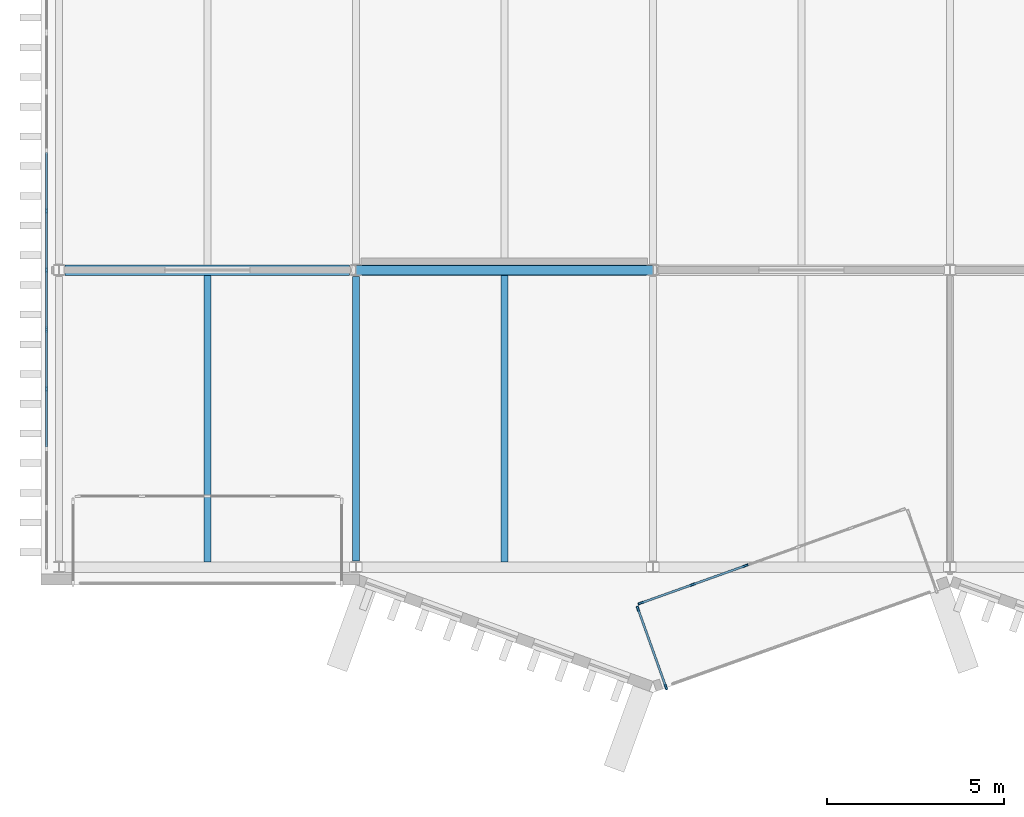
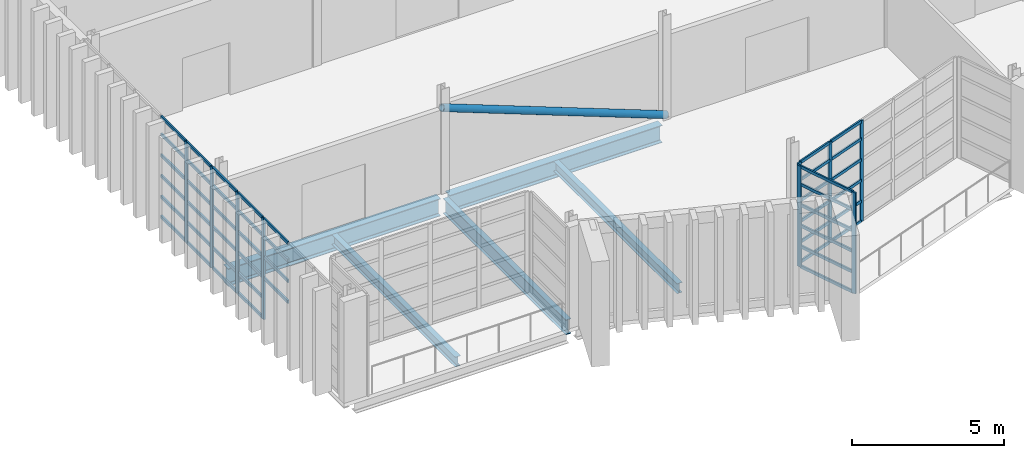
# One storey, part 12 of 100: 56 members, 5 beams, 3 elements without a shape of their own.
"""IFC4 building model written with IfcOpenShell, lengths in metres."""

from ifc_helpers import new_model, si_unit, direction, frame, origin, origin_2d, place, context, subcontext, project, spatial, rectangle, hollow_circle, i_section, extrude, material, layer, layer_set, material_profile, profile_set, type_object, element, aggregate, save


model = new_model("IFC4")

# Units and contexts
model_context = context("Model", 3, precision=1e-05, world=origin(), true_north=direction((0.0, 1.0)))
body_context = subcontext(model_context, "Body", "Model", "MODEL_VIEW")
ifc_project = project(units=[si_unit("LENGTHUNIT", "METRE"), si_unit("AREAUNIT", "SQUARE_METRE"), si_unit("VOLUMEUNIT", "CUBIC_METRE"), si_unit("PLANEANGLEUNIT", "RADIAN"), si_unit("MASSUNIT", "GRAM", prefix="KILO")], contexts=[model_context])

# Site, building, storey
site_placement = place(None, origin())
site = spatial("IfcSite", under=ifc_project, at=site_placement, CompositionType="ELEMENT")
building_placement = place(site_placement, origin())
building = spatial("IfcBuilding", under=site, at=building_placement, Name="Cresset Court Congress Hotel", CompositionType="ELEMENT")
storey_placement = place(building_placement, frame((0.0, 0.0, 10.199951171875)))
storey = spatial("IfcBuildingStorey", under=building, at=storey_placement, Name="L02", CompositionType="ELEMENT", Elevation=10.199951171875)

# Curtain wall, members
ifc_material_1 = material(Name="Aluminium frame with double glazing", Category="aluminium")
ifc_layer = layer(ifc_material_1, 0.199951171875)
ifc_layer_set = layer_set([ifc_layer], Name="Glazed box curtain wall 1680 module")
curtain_wall_type = type_object("IfcCurtainWallType", Name="Glazed box curtain wall 1680 module", PredefinedType="NOTDEFINED", material=ifc_layer_set)
curtain_wall_1_placement = place(storey_placement, origin())
curtain_wall_1 = element("IfcCurtainWall", 1, at=curtain_wall_1_placement, inside=storey, type_object=curtain_wall_type, Name="Glazed box S0204 front", PredefinedType="NOTDEFINED")
ifc_material_2 = material(Name="Aluminium", Category="aluminium")
ifc_material_profile_1 = material_profile(ifc_material_2, rectangle(XDim=0.06005859375, YDim=0.159912109375, at=origin_2d()), Name="Box mullion 60x160")
ifc_profile_set_1 = profile_set([ifc_material_profile_1], Name="Aluminium")
member_type_1 = type_object("IfcMemberType", Name="Box mullion 60x160", PredefinedType="MULLION", material=ifc_profile_set_1)
member_1_placement = place(storey_placement, frame((24.8583984375, -1.017333984375, 0.0), z_axis=(0.0, 0.0, 1.0), x_axis=(-0.336336396981, 0.941741911601, 0.0)))
member_1 = element("IfcMember", 2, at=member_1_placement, type_object=member_type_1, Name="B-X1 mullion 1", PredefinedType="MULLION", context=body_context, shape_type="SweptSolid", body=[
    extrude(rectangle(XDim=0.06005859375, YDim=0.159912109375, at=origin_2d()), origin(), (0.0, 0.0, 1.0), 4.050048828125),
])
member_2_placement = place(storey_placement, frame((26.32177734375, -0.49462890625, 0.0), z_axis=(0.0, 0.0, 1.0), x_axis=(-0.336336396981, 0.941741911601, 0.0)))
member_2 = element("IfcMember", 3, at=member_2_placement, type_object=member_type_1, Name="B-X1 mullion 2", PredefinedType="MULLION", context=body_context, shape_type="SweptSolid", body=[
    extrude(rectangle(XDim=0.06005859375, YDim=0.159912109375, at=origin_2d()), origin(), (0.0, 0.0, 1.0), 4.050048828125),
])
member_3_placement = place(storey_placement, frame((27.813232421875, 0.0380859375, 0.0), z_axis=(0.0, 0.0, 1.0), x_axis=(-0.336336396981, 0.941741911601, 0.0)))
member_3 = element("IfcMember", 4, at=member_3_placement, type_object=member_type_1, Name="B-X1 mullion 3", PredefinedType="MULLION", context=body_context, shape_type="SweptSolid", body=[
    extrude(rectangle(XDim=0.06005859375, YDim=0.159912109375, at=origin_2d()), origin(), (0.0, 0.0, 1.0), 4.050048828125),
])

curtain_wall_2_placement = place(storey_placement, origin())
curtain_wall_2 = element("IfcCurtainWall", 5, at=curtain_wall_2_placement, inside=storey, type_object=curtain_wall_type, Name="Glazed box S0204 side", PredefinedType="NOTDEFINED")
member_4_placement = place(storey_placement, frame((25.566650390625, -3.38720703125, 0.0), z_axis=(0.0, 0.0, 1.0), x_axis=(-0.941741911578, -0.336336397047, 0.0)))
member_4 = element("IfcMember", 6, at=member_4_placement, type_object=member_type_1, Name="B-X1 mullion 1", PredefinedType="MULLION", context=body_context, shape_type="SweptSolid", body=[
    extrude(rectangle(XDim=0.06005859375, YDim=0.159912109375, at=origin_2d()), origin(), (0.0, 0.0, 1.0), 4.050048828125),
])
member_5_placement = place(storey_placement, frame((24.779541015625, -1.18359375, 0.0), z_axis=(0.0, 0.0, 1.0), x_axis=(-0.941741911578, -0.336336397047, 0.0)))
member_5 = element("IfcMember", 7, at=member_5_placement, type_object=member_type_1, Name="B-X1 mullion 2", PredefinedType="MULLION", context=body_context, shape_type="SweptSolid", body=[
    extrude(rectangle(XDim=0.06005859375, YDim=0.159912109375, at=origin_2d()), origin(), (0.0, 0.0, 1.0), 4.050048828125),
])

curtain_wall_3_placement = place(storey_placement, origin())
curtain_wall_3 = element("IfcCurtainWall", 8, at=curtain_wall_3_placement, inside=storey, type_object=curtain_wall_type, Name="Foyer glazed front L02", PredefinedType="NOTDEFINED")
member_6_placement = place(storey_placement, frame((8.050048828125, 5.0400390625, 0.0), z_axis=(0.0, 0.0, 1.0), x_axis=(-1.0, 0.0, 0.0)))
member_6 = element("IfcMember", 9, at=member_6_placement, type_object=member_type_1, Name="B-X1 mullion 4", PredefinedType="MULLION", context=body_context, shape_type="SweptSolid", body=[
    extrude(rectangle(XDim=0.06005859375, YDim=0.159912109375, at=origin_2d()), origin(), (0.0, 0.0, 1.0), 4.050048828125),
])
member_7_placement = place(storey_placement, frame((8.050048828125, 6.719970703125, 0.0), z_axis=(0.0, 0.0, 1.0), x_axis=(-1.0, 0.0, 0.0)))
member_7 = element("IfcMember", 10, at=member_7_placement, type_object=member_type_1, Name="B-X1 mullion 5", PredefinedType="MULLION", context=body_context, shape_type="SweptSolid", body=[
    extrude(rectangle(XDim=0.06005859375, YDim=0.159912109375, at=origin_2d()), origin(), (0.0, 0.0, 1.0), 4.050048828125),
])
member_8_placement = place(storey_placement, frame((8.050048828125, 8.39990234375, 0.0), z_axis=(0.0, 0.0, 1.0), x_axis=(-1.0, 0.0, 0.0)))
member_8 = element("IfcMember", 11, at=member_8_placement, type_object=member_type_1, Name="B-X1 mullion 6", PredefinedType="MULLION", context=body_context, shape_type="SweptSolid", body=[
    extrude(rectangle(XDim=0.06005859375, YDim=0.159912109375, at=origin_2d()), origin(), (0.0, 0.0, 1.0), 4.050048828125),
])
member_9_placement = place(storey_placement, frame((8.050048828125, 10.080078125, 0.0), z_axis=(0.0, 0.0, 1.0), x_axis=(-1.0, 0.0, 0.0)))
member_9 = element("IfcMember", 12, at=member_9_placement, type_object=member_type_1, Name="B-X1 mullion 7", PredefinedType="MULLION", context=body_context, shape_type="SweptSolid", body=[
    extrude(rectangle(XDim=0.06005859375, YDim=0.159912109375, at=origin_2d()), origin(), (0.0, 0.0, 1.0), 4.050048828125),
])

# Member
ifc_material_3 = material(Name="Aluminium", Category="aluminium")
ifc_material_profile_2 = material_profile(ifc_material_3, rectangle(XDim=0.06005859375, YDim=0.1201171875, at=origin_2d()), Name="Box transom 60x120")
ifc_profile_set_2 = profile_set([ifc_material_profile_2], Name="Aluminium")
member_type_2 = type_object("IfcMemberType", Name="Box transom 60x120", PredefinedType="USERDEFINED", material=ifc_profile_set_2)
member_10_placement = place(storey_placement, frame((24.886474609375, -1.00732421875, 0.030029296875), z_axis=(0.941753002509, 0.336305340823, 0.0), x_axis=(-0.336305340823, 0.941753002509, 0.0)))
member_10 = element("IfcMember", 13, at=member_10_placement, type_object=member_type_2, Name="B-X1 transom 1.1", ObjectType="TRANSOM", PredefinedType="USERDEFINED", context=body_context, shape_type="SweptSolid", body=[
    extrude(rectangle(XDim=0.06005859375, YDim=0.1201171875, at=origin_2d()), origin(), (0.0, 0.0, 1.0), 1.493896484375),
])

member_11_placement = place(storey_placement, frame((24.886474609375, -1.00732421875, 0.830078125), z_axis=(0.941753002509, 0.336305340823, 0.0), x_axis=(-0.336305340823, 0.941753002509, 0.0)))
member_11 = element("IfcMember", 14, at=member_11_placement, type_object=member_type_2, Name="B-X1 transom 1.2", ObjectType="TRANSOM", PredefinedType="USERDEFINED", context=body_context, shape_type="SweptSolid", body=[
    extrude(rectangle(XDim=0.06005859375, YDim=0.1201171875, at=origin_2d()), origin(), (0.0, 0.0, 1.0), 1.493896484375),
])

member_12_placement = place(storey_placement, frame((24.886474609375, -1.00732421875, 1.66015625), z_axis=(0.941753002509, 0.336305340823, 0.0), x_axis=(-0.336305340823, 0.941753002509, 0.0)))
member_12 = element("IfcMember", 15, at=member_12_placement, type_object=member_type_2, Name="B-X1 transom 1.3", ObjectType="TRANSOM", PredefinedType="USERDEFINED", context=body_context, shape_type="SweptSolid", body=[
    extrude(rectangle(XDim=0.06005859375, YDim=0.1201171875, at=origin_2d()), origin(), (0.0, 0.0, 1.0), 1.493896484375),
])

member_13_placement = place(storey_placement, frame((24.886474609375, -1.00732421875, 2.489990234375), z_axis=(0.941753002509, 0.336305340823, 0.0), x_axis=(-0.336305340823, 0.941753002509, 0.0)))
member_13 = element("IfcMember", 16, at=member_13_placement, type_object=member_type_2, Name="B-X1 transom 1.4", ObjectType="TRANSOM", PredefinedType="USERDEFINED", context=body_context, shape_type="SweptSolid", body=[
    extrude(rectangle(XDim=0.06005859375, YDim=0.1201171875, at=origin_2d()), origin(), (0.0, 0.0, 1.0), 1.493896484375),
])

member_14_placement = place(storey_placement, frame((24.886474609375, -1.00732421875, 3.320068359375), z_axis=(0.941753002509, 0.336305340823, 0.0), x_axis=(-0.336305340823, 0.941753002509, 0.0)))
member_14 = element("IfcMember", 17, at=member_14_placement, type_object=member_type_2, Name="B-X1 transom 1.5", ObjectType="TRANSOM", PredefinedType="USERDEFINED", context=body_context, shape_type="SweptSolid", body=[
    extrude(rectangle(XDim=0.06005859375, YDim=0.1201171875, at=origin_2d()), origin(), (0.0, 0.0, 1.0), 1.493896484375),
])

member_15_placement = place(storey_placement, frame((24.886474609375, -1.00732421875, 4.02001953125), z_axis=(0.941753002509, 0.336305340823, 0.0), x_axis=(-0.336305340823, 0.941753002509, 0.0)))
member_15 = element("IfcMember", 18, at=member_15_placement, type_object=member_type_2, Name="B-X1 transom 1.6", ObjectType="TRANSOM", PredefinedType="USERDEFINED", context=body_context, shape_type="SweptSolid", body=[
    extrude(rectangle(XDim=0.06005859375, YDim=0.1201171875, at=origin_2d()), origin(), (0.0, 0.0, 1.0), 1.493896484375),
])

member_16_placement = place(storey_placement, frame((26.349853515625, -0.484619140625, 0.030029296875), z_axis=(0.941774525646, 0.336245063673, 0.0), x_axis=(-0.336245063673, 0.941774525646, 0.0)))
member_16 = element("IfcMember", 19, at=member_16_placement, type_object=member_type_2, Name="B-X1 transom 2.1", ObjectType="TRANSOM", PredefinedType="USERDEFINED", context=body_context, shape_type="SweptSolid", body=[
    extrude(rectangle(XDim=0.06005859375, YDim=0.1201171875, at=origin_2d()), origin(), (0.0, 0.0, 1.0), 1.52392578125),
])

member_17_placement = place(storey_placement, frame((26.349853515625, -0.484619140625, 0.830078125), z_axis=(0.941774525646, 0.336245063673, 0.0), x_axis=(-0.336245063673, 0.941774525646, 0.0)))
member_17 = element("IfcMember", 20, at=member_17_placement, type_object=member_type_2, Name="B-X1 transom 2.2", ObjectType="TRANSOM", PredefinedType="USERDEFINED", context=body_context, shape_type="SweptSolid", body=[
    extrude(rectangle(XDim=0.06005859375, YDim=0.1201171875, at=origin_2d()), origin(), (0.0, 0.0, 1.0), 1.52392578125),
])

member_18_placement = place(storey_placement, frame((26.349853515625, -0.484619140625, 1.66015625), z_axis=(0.941774525646, 0.336245063673, 0.0), x_axis=(-0.336245063673, 0.941774525646, 0.0)))
member_18 = element("IfcMember", 21, at=member_18_placement, type_object=member_type_2, Name="B-X1 transom 2.3", ObjectType="TRANSOM", PredefinedType="USERDEFINED", context=body_context, shape_type="SweptSolid", body=[
    extrude(rectangle(XDim=0.06005859375, YDim=0.1201171875, at=origin_2d()), origin(), (0.0, 0.0, 1.0), 1.52392578125),
])

member_19_placement = place(storey_placement, frame((26.349853515625, -0.484619140625, 2.489990234375), z_axis=(0.941774525646, 0.336245063673, 0.0), x_axis=(-0.336245063673, 0.941774525646, 0.0)))
member_19 = element("IfcMember", 22, at=member_19_placement, type_object=member_type_2, Name="B-X1 transom 2.4", ObjectType="TRANSOM", PredefinedType="USERDEFINED", context=body_context, shape_type="SweptSolid", body=[
    extrude(rectangle(XDim=0.06005859375, YDim=0.1201171875, at=origin_2d()), origin(), (0.0, 0.0, 1.0), 1.52392578125),
])

member_20_placement = place(storey_placement, frame((26.349853515625, -0.484619140625, 3.320068359375), z_axis=(0.941774525646, 0.336245063673, 0.0), x_axis=(-0.336245063673, 0.941774525646, 0.0)))
member_20 = element("IfcMember", 23, at=member_20_placement, type_object=member_type_2, Name="B-X1 transom 2.5", ObjectType="TRANSOM", PredefinedType="USERDEFINED", context=body_context, shape_type="SweptSolid", body=[
    extrude(rectangle(XDim=0.06005859375, YDim=0.1201171875, at=origin_2d()), origin(), (0.0, 0.0, 1.0), 1.52392578125),
])

member_21_placement = place(storey_placement, frame((26.349853515625, -0.484619140625, 4.02001953125), z_axis=(0.941774525646, 0.336245063673, 0.0), x_axis=(-0.336245063673, 0.941774525646, 0.0)))
member_21 = element("IfcMember", 24, at=member_21_placement, type_object=member_type_2, Name="B-X1 transom 2.6", ObjectType="TRANSOM", PredefinedType="USERDEFINED", context=body_context, shape_type="SweptSolid", body=[
    extrude(rectangle(XDim=0.06005859375, YDim=0.1201171875, at=origin_2d()), origin(), (0.0, 0.0, 1.0), 1.52392578125),
])

aggregate(curtain_wall_1, [member_1, member_2, member_3, member_10, member_11, member_12, member_13, member_14, member_15, member_16, member_17, member_18, member_19, member_20, member_21])

member_22_placement = place(storey_placement, frame((25.556396484375, -3.35888671875, 0.030029296875), z_axis=(-0.336329613816, 0.941744334132, 0.0), x_axis=(-0.941744334132, -0.336329613816, 0.0)))
member_22 = element("IfcMember", 25, at=member_22_placement, type_object=member_type_2, Name="B-X1 transom 1.1", ObjectType="TRANSOM", PredefinedType="USERDEFINED", context=body_context, shape_type="SweptSolid", body=[
    extrude(rectangle(XDim=0.06005859375, YDim=0.1201171875, at=origin_2d()), origin(), (0.0, 0.0, 1.0), 2.280029296875),
])

member_23_placement = place(storey_placement, frame((25.556396484375, -3.35888671875, 0.830078125), z_axis=(-0.336329613816, 0.941744334132, 0.0), x_axis=(-0.941744334132, -0.336329613816, 0.0)))
member_23 = element("IfcMember", 26, at=member_23_placement, type_object=member_type_2, Name="B-X1 transom 1.2", ObjectType="TRANSOM", PredefinedType="USERDEFINED", context=body_context, shape_type="SweptSolid", body=[
    extrude(rectangle(XDim=0.06005859375, YDim=0.1201171875, at=origin_2d()), origin(), (0.0, 0.0, 1.0), 2.280029296875),
])

member_24_placement = place(storey_placement, frame((25.556396484375, -3.35888671875, 1.66015625), z_axis=(-0.336329613816, 0.941744334132, 0.0), x_axis=(-0.941744334132, -0.336329613816, 0.0)))
member_24 = element("IfcMember", 27, at=member_24_placement, type_object=member_type_2, Name="B-X1 transom 1.3", ObjectType="TRANSOM", PredefinedType="USERDEFINED", context=body_context, shape_type="SweptSolid", body=[
    extrude(rectangle(XDim=0.06005859375, YDim=0.1201171875, at=origin_2d()), origin(), (0.0, 0.0, 1.0), 2.280029296875),
])

member_25_placement = place(storey_placement, frame((25.556396484375, -3.35888671875, 2.489990234375), z_axis=(-0.336329613816, 0.941744334132, 0.0), x_axis=(-0.941744334132, -0.336329613816, 0.0)))
member_25 = element("IfcMember", 28, at=member_25_placement, type_object=member_type_2, Name="B-X1 transom 1.4", ObjectType="TRANSOM", PredefinedType="USERDEFINED", context=body_context, shape_type="SweptSolid", body=[
    extrude(rectangle(XDim=0.06005859375, YDim=0.1201171875, at=origin_2d()), origin(), (0.0, 0.0, 1.0), 2.280029296875),
])

member_26_placement = place(storey_placement, frame((25.556396484375, -3.35888671875, 3.320068359375), z_axis=(-0.336329613816, 0.941744334132, 0.0), x_axis=(-0.941744334132, -0.336329613816, 0.0)))
member_26 = element("IfcMember", 29, at=member_26_placement, type_object=member_type_2, Name="B-X1 transom 1.5", ObjectType="TRANSOM", PredefinedType="USERDEFINED", context=body_context, shape_type="SweptSolid", body=[
    extrude(rectangle(XDim=0.06005859375, YDim=0.1201171875, at=origin_2d()), origin(), (0.0, 0.0, 1.0), 2.280029296875),
])

member_27_placement = place(storey_placement, frame((25.556396484375, -3.35888671875, 4.02001953125), z_axis=(-0.336329613816, 0.941744334132, 0.0), x_axis=(-0.941744334132, -0.336329613816, 0.0)))
member_27 = element("IfcMember", 30, at=member_27_placement, type_object=member_type_2, Name="B-X1 transom 1.6", ObjectType="TRANSOM", PredefinedType="USERDEFINED", context=body_context, shape_type="SweptSolid", body=[
    extrude(rectangle(XDim=0.06005859375, YDim=0.1201171875, at=origin_2d()), origin(), (0.0, 0.0, 1.0), 2.280029296875),
])

aggregate(curtain_wall_2, [member_4, member_5, member_22, member_23, member_24, member_25, member_26, member_27])

member_28_placement = place(storey_placement, frame((8.050048828125, 3.389892578125, 1.66015625), z_axis=(0.0, 1.0, 0.0), x_axis=(-1.0, 0.0, 0.0)))
member_28 = element("IfcMember", 31, at=member_28_placement, type_object=member_type_2, Name="B-X1 transom 3.3", ObjectType="TRANSOM", PredefinedType="USERDEFINED", context=body_context, shape_type="SweptSolid", body=[
    extrude(rectangle(XDim=0.06005859375, YDim=0.1201171875, at=origin_2d()), origin(), (0.0, 0.0, 1.0), 1.6201171875),
])

member_29_placement = place(storey_placement, frame((8.050048828125, 3.389892578125, 2.489990234375), z_axis=(0.0, 1.0, 0.0), x_axis=(-1.0, 0.0, 0.0)))
member_29 = element("IfcMember", 32, at=member_29_placement, type_object=member_type_2, Name="B-X1 transom 3.4", ObjectType="TRANSOM", PredefinedType="USERDEFINED", context=body_context, shape_type="SweptSolid", body=[
    extrude(rectangle(XDim=0.06005859375, YDim=0.1201171875, at=origin_2d()), origin(), (0.0, 0.0, 1.0), 1.6201171875),
])

member_30_placement = place(storey_placement, frame((8.050048828125, 3.389892578125, 3.320068359375), z_axis=(0.0, 1.0, 0.0), x_axis=(-1.0, 0.0, 0.0)))
member_30 = element("IfcMember", 33, at=member_30_placement, type_object=member_type_2, Name="B-X1 transom 3.5", ObjectType="TRANSOM", PredefinedType="USERDEFINED", context=body_context, shape_type="SweptSolid", body=[
    extrude(rectangle(XDim=0.06005859375, YDim=0.1201171875, at=origin_2d()), origin(), (0.0, 0.0, 1.0), 1.6201171875),
])

member_31_placement = place(storey_placement, frame((8.050048828125, 3.389892578125, 4.02001953125), z_axis=(0.0, 1.0, 0.0), x_axis=(-1.0, 0.0, 0.0)))
member_31 = element("IfcMember", 34, at=member_31_placement, type_object=member_type_2, Name="B-X1 transom 3.6", ObjectType="TRANSOM", PredefinedType="USERDEFINED", context=body_context, shape_type="SweptSolid", body=[
    extrude(rectangle(XDim=0.06005859375, YDim=0.1201171875, at=origin_2d()), origin(), (0.0, 0.0, 1.0), 1.6201171875),
])

member_32_placement = place(storey_placement, frame((8.050048828125, 5.070068359375, 0.030029296875), z_axis=(0.0, 1.0, 0.0), x_axis=(-1.0, 0.0, 0.0)))
member_32 = element("IfcMember", 35, at=member_32_placement, type_object=member_type_2, Name="B-X1 transom 4.1", ObjectType="TRANSOM", PredefinedType="USERDEFINED", context=body_context, shape_type="SweptSolid", body=[
    extrude(rectangle(XDim=0.06005859375, YDim=0.1201171875, at=origin_2d()), origin(), (0.0, 0.0, 1.0), 1.619873046875),
])

member_33_placement = place(storey_placement, frame((8.050048828125, 5.070068359375, 0.830078125), z_axis=(0.0, 1.0, 0.0), x_axis=(-1.0, 0.0, 0.0)))
member_33 = element("IfcMember", 36, at=member_33_placement, type_object=member_type_2, Name="B-X1 transom 4.2", ObjectType="TRANSOM", PredefinedType="USERDEFINED", context=body_context, shape_type="SweptSolid", body=[
    extrude(rectangle(XDim=0.06005859375, YDim=0.1201171875, at=origin_2d()), origin(), (0.0, 0.0, 1.0), 1.619873046875),
])

member_34_placement = place(storey_placement, frame((8.050048828125, 5.070068359375, 1.66015625), z_axis=(0.0, 1.0, 0.0), x_axis=(-1.0, 0.0, 0.0)))
member_34 = element("IfcMember", 37, at=member_34_placement, type_object=member_type_2, Name="B-X1 transom 4.3", ObjectType="TRANSOM", PredefinedType="USERDEFINED", context=body_context, shape_type="SweptSolid", body=[
    extrude(rectangle(XDim=0.06005859375, YDim=0.1201171875, at=origin_2d()), origin(), (0.0, 0.0, 1.0), 1.619873046875),
])

member_35_placement = place(storey_placement, frame((8.050048828125, 5.070068359375, 2.489990234375), z_axis=(0.0, 1.0, 0.0), x_axis=(-1.0, 0.0, 0.0)))
member_35 = element("IfcMember", 38, at=member_35_placement, type_object=member_type_2, Name="B-X1 transom 4.4", ObjectType="TRANSOM", PredefinedType="USERDEFINED", context=body_context, shape_type="SweptSolid", body=[
    extrude(rectangle(XDim=0.06005859375, YDim=0.1201171875, at=origin_2d()), origin(), (0.0, 0.0, 1.0), 1.619873046875),
])

member_36_placement = place(storey_placement, frame((8.050048828125, 5.070068359375, 3.320068359375), z_axis=(0.0, 1.0, 0.0), x_axis=(-1.0, 0.0, 0.0)))
member_36 = element("IfcMember", 39, at=member_36_placement, type_object=member_type_2, Name="B-X1 transom 4.5", ObjectType="TRANSOM", PredefinedType="USERDEFINED", context=body_context, shape_type="SweptSolid", body=[
    extrude(rectangle(XDim=0.06005859375, YDim=0.1201171875, at=origin_2d()), origin(), (0.0, 0.0, 1.0), 1.619873046875),
])

member_37_placement = place(storey_placement, frame((8.050048828125, 5.070068359375, 4.02001953125), z_axis=(0.0, 1.0, 0.0), x_axis=(-1.0, 0.0, 0.0)))
member_37 = element("IfcMember", 40, at=member_37_placement, type_object=member_type_2, Name="B-X1 transom 4.6", ObjectType="TRANSOM", PredefinedType="USERDEFINED", context=body_context, shape_type="SweptSolid", body=[
    extrude(rectangle(XDim=0.06005859375, YDim=0.1201171875, at=origin_2d()), origin(), (0.0, 0.0, 1.0), 1.619873046875),
])

member_38_placement = place(storey_placement, frame((8.050048828125, 6.75, 0.030029296875), z_axis=(0.0, 1.0, 0.0), x_axis=(-1.0, 0.0, 0.0)))
member_38 = element("IfcMember", 41, at=member_38_placement, type_object=member_type_2, Name="B-X1 transom 5.1", ObjectType="TRANSOM", PredefinedType="USERDEFINED", context=body_context, shape_type="SweptSolid", body=[
    extrude(rectangle(XDim=0.06005859375, YDim=0.1201171875, at=origin_2d()), origin(), (0.0, 0.0, 1.0), 1.6201171875),
])

member_39_placement = place(storey_placement, frame((8.050048828125, 6.75, 0.830078125), z_axis=(0.0, 1.0, 0.0), x_axis=(-1.0, 0.0, 0.0)))
member_39 = element("IfcMember", 42, at=member_39_placement, type_object=member_type_2, Name="B-X1 transom 5.2", ObjectType="TRANSOM", PredefinedType="USERDEFINED", context=body_context, shape_type="SweptSolid", body=[
    extrude(rectangle(XDim=0.06005859375, YDim=0.1201171875, at=origin_2d()), origin(), (0.0, 0.0, 1.0), 1.6201171875),
])

member_40_placement = place(storey_placement, frame((8.050048828125, 6.75, 1.66015625), z_axis=(0.0, 1.0, 0.0), x_axis=(-1.0, 0.0, 0.0)))
member_40 = element("IfcMember", 43, at=member_40_placement, type_object=member_type_2, Name="B-X1 transom 5.3", ObjectType="TRANSOM", PredefinedType="USERDEFINED", context=body_context, shape_type="SweptSolid", body=[
    extrude(rectangle(XDim=0.06005859375, YDim=0.1201171875, at=origin_2d()), origin(), (0.0, 0.0, 1.0), 1.6201171875),
])

member_41_placement = place(storey_placement, frame((8.050048828125, 6.75, 2.489990234375), z_axis=(0.0, 1.0, 0.0), x_axis=(-1.0, 0.0, 0.0)))
member_41 = element("IfcMember", 44, at=member_41_placement, type_object=member_type_2, Name="B-X1 transom 5.4", ObjectType="TRANSOM", PredefinedType="USERDEFINED", context=body_context, shape_type="SweptSolid", body=[
    extrude(rectangle(XDim=0.06005859375, YDim=0.1201171875, at=origin_2d()), origin(), (0.0, 0.0, 1.0), 1.6201171875),
])

member_42_placement = place(storey_placement, frame((8.050048828125, 6.75, 3.320068359375), z_axis=(0.0, 1.0, 0.0), x_axis=(-1.0, 0.0, 0.0)))
member_42 = element("IfcMember", 45, at=member_42_placement, type_object=member_type_2, Name="B-X1 transom 5.5", ObjectType="TRANSOM", PredefinedType="USERDEFINED", context=body_context, shape_type="SweptSolid", body=[
    extrude(rectangle(XDim=0.06005859375, YDim=0.1201171875, at=origin_2d()), origin(), (0.0, 0.0, 1.0), 1.6201171875),
])

member_43_placement = place(storey_placement, frame((8.050048828125, 6.75, 4.02001953125), z_axis=(0.0, 1.0, 0.0), x_axis=(-1.0, 0.0, 0.0)))
member_43 = element("IfcMember", 46, at=member_43_placement, type_object=member_type_2, Name="B-X1 transom 5.6", ObjectType="TRANSOM", PredefinedType="USERDEFINED", context=body_context, shape_type="SweptSolid", body=[
    extrude(rectangle(XDim=0.06005859375, YDim=0.1201171875, at=origin_2d()), origin(), (0.0, 0.0, 1.0), 1.6201171875),
])

member_44_placement = place(storey_placement, frame((8.050048828125, 8.429931640625, 0.030029296875), z_axis=(0.0, 1.0, 0.0), x_axis=(-1.0, 0.0, 0.0)))
member_44 = element("IfcMember", 47, at=member_44_placement, type_object=member_type_2, Name="B-X1 transom 6.1", ObjectType="TRANSOM", PredefinedType="USERDEFINED", context=body_context, shape_type="SweptSolid", body=[
    extrude(rectangle(XDim=0.06005859375, YDim=0.1201171875, at=origin_2d()), origin(), (0.0, 0.0, 1.0), 1.6201171875),
])

member_45_placement = place(storey_placement, frame((8.050048828125, 8.429931640625, 0.830078125), z_axis=(0.0, 1.0, 0.0), x_axis=(-1.0, 0.0, 0.0)))
member_45 = element("IfcMember", 48, at=member_45_placement, type_object=member_type_2, Name="B-X1 transom 6.2", ObjectType="TRANSOM", PredefinedType="USERDEFINED", context=body_context, shape_type="SweptSolid", body=[
    extrude(rectangle(XDim=0.06005859375, YDim=0.1201171875, at=origin_2d()), origin(), (0.0, 0.0, 1.0), 1.6201171875),
])

member_46_placement = place(storey_placement, frame((8.050048828125, 8.429931640625, 1.66015625), z_axis=(0.0, 1.0, 0.0), x_axis=(-1.0, 0.0, 0.0)))
member_46 = element("IfcMember", 49, at=member_46_placement, type_object=member_type_2, Name="B-X1 transom 6.3", ObjectType="TRANSOM", PredefinedType="USERDEFINED", context=body_context, shape_type="SweptSolid", body=[
    extrude(rectangle(XDim=0.06005859375, YDim=0.1201171875, at=origin_2d()), origin(), (0.0, 0.0, 1.0), 1.6201171875),
])

member_47_placement = place(storey_placement, frame((8.050048828125, 8.429931640625, 2.489990234375), z_axis=(0.0, 1.0, 0.0), x_axis=(-1.0, 0.0, 0.0)))
member_47 = element("IfcMember", 50, at=member_47_placement, type_object=member_type_2, Name="B-X1 transom 6.4", ObjectType="TRANSOM", PredefinedType="USERDEFINED", context=body_context, shape_type="SweptSolid", body=[
    extrude(rectangle(XDim=0.06005859375, YDim=0.1201171875, at=origin_2d()), origin(), (0.0, 0.0, 1.0), 1.6201171875),
])

member_48_placement = place(storey_placement, frame((8.050048828125, 8.429931640625, 3.320068359375), z_axis=(0.0, 1.0, 0.0), x_axis=(-1.0, 0.0, 0.0)))
member_48 = element("IfcMember", 51, at=member_48_placement, type_object=member_type_2, Name="B-X1 transom 6.5", ObjectType="TRANSOM", PredefinedType="USERDEFINED", context=body_context, shape_type="SweptSolid", body=[
    extrude(rectangle(XDim=0.06005859375, YDim=0.1201171875, at=origin_2d()), origin(), (0.0, 0.0, 1.0), 1.6201171875),
])

member_49_placement = place(storey_placement, frame((8.050048828125, 8.429931640625, 4.02001953125), z_axis=(0.0, 1.0, 0.0), x_axis=(-1.0, 0.0, 0.0)))
member_49 = element("IfcMember", 52, at=member_49_placement, type_object=member_type_2, Name="B-X1 transom 6.6", ObjectType="TRANSOM", PredefinedType="USERDEFINED", context=body_context, shape_type="SweptSolid", body=[
    extrude(rectangle(XDim=0.06005859375, YDim=0.1201171875, at=origin_2d()), origin(), (0.0, 0.0, 1.0), 1.6201171875),
])

member_50_placement = place(storey_placement, frame((8.050048828125, 10.110107421875, 0.030029296875), z_axis=(0.0, 1.0, 0.0), x_axis=(-1.0, 0.0, 0.0)))
member_50 = element("IfcMember", 53, at=member_50_placement, type_object=member_type_2, Name="B-X1 transom 7.1", ObjectType="TRANSOM", PredefinedType="USERDEFINED", context=body_context, shape_type="SweptSolid", body=[
    extrude(rectangle(XDim=0.06005859375, YDim=0.1201171875, at=origin_2d()), origin(), (0.0, 0.0, 1.0), 1.619873046875),
])

member_51_placement = place(storey_placement, frame((8.050048828125, 10.110107421875, 0.830078125), z_axis=(0.0, 1.0, 0.0), x_axis=(-1.0, 0.0, 0.0)))
member_51 = element("IfcMember", 54, at=member_51_placement, type_object=member_type_2, Name="B-X1 transom 7.2", ObjectType="TRANSOM", PredefinedType="USERDEFINED", context=body_context, shape_type="SweptSolid", body=[
    extrude(rectangle(XDim=0.06005859375, YDim=0.1201171875, at=origin_2d()), origin(), (0.0, 0.0, 1.0), 1.619873046875),
])

member_52_placement = place(storey_placement, frame((8.050048828125, 10.110107421875, 1.66015625), z_axis=(0.0, 1.0, 0.0), x_axis=(-1.0, 0.0, 0.0)))
member_52 = element("IfcMember", 55, at=member_52_placement, type_object=member_type_2, Name="B-X1 transom 7.3", ObjectType="TRANSOM", PredefinedType="USERDEFINED", context=body_context, shape_type="SweptSolid", body=[
    extrude(rectangle(XDim=0.06005859375, YDim=0.1201171875, at=origin_2d()), origin(), (0.0, 0.0, 1.0), 1.619873046875),
])

member_53_placement = place(storey_placement, frame((8.050048828125, 10.110107421875, 2.489990234375), z_axis=(0.0, 1.0, 0.0), x_axis=(-1.0, 0.0, 0.0)))
member_53 = element("IfcMember", 56, at=member_53_placement, type_object=member_type_2, Name="B-X1 transom 7.4", ObjectType="TRANSOM", PredefinedType="USERDEFINED", context=body_context, shape_type="SweptSolid", body=[
    extrude(rectangle(XDim=0.06005859375, YDim=0.1201171875, at=origin_2d()), origin(), (0.0, 0.0, 1.0), 1.619873046875),
])

member_54_placement = place(storey_placement, frame((8.050048828125, 10.110107421875, 3.320068359375), z_axis=(0.0, 1.0, 0.0), x_axis=(-1.0, 0.0, 0.0)))
member_54 = element("IfcMember", 57, at=member_54_placement, type_object=member_type_2, Name="B-X1 transom 7.5", ObjectType="TRANSOM", PredefinedType="USERDEFINED", context=body_context, shape_type="SweptSolid", body=[
    extrude(rectangle(XDim=0.06005859375, YDim=0.1201171875, at=origin_2d()), origin(), (0.0, 0.0, 1.0), 1.619873046875),
])

member_55_placement = place(storey_placement, frame((8.050048828125, 10.110107421875, 4.02001953125), z_axis=(0.0, 1.0, 0.0), x_axis=(-1.0, 0.0, 0.0)))
member_55 = element("IfcMember", 58, at=member_55_placement, type_object=member_type_2, Name="B-X1 transom 7.6", ObjectType="TRANSOM", PredefinedType="USERDEFINED", context=body_context, shape_type="SweptSolid", body=[
    extrude(rectangle(XDim=0.06005859375, YDim=0.1201171875, at=origin_2d()), origin(), (0.0, 0.0, 1.0), 1.619873046875),
])

aggregate(curtain_wall_3, [member_6, member_7, member_8, member_9, member_28, member_29, member_30, member_31, member_32, member_33, member_34, member_35, member_36, member_37, member_38, member_39, member_40, member_41, member_42, member_43, member_44, member_45, member_46, member_47, member_48, member_49, member_50, member_51, member_52, member_53, member_54, member_55])

# Beams
ifc_material_4 = material(Name="Structural steel Q355B", Category="steel")
ifc_material_profile_3 = material_profile(ifc_material_4, i_section(OverallWidth=0.199951171875, OverallDepth=0.60009765625, WebThickness=0.010986328125, FlangeThickness=0.01708984375, FilletRadius=0.012939453125, at=origin_2d()), Name="HN600x200x11x17")
ifc_profile_set_3 = profile_set([ifc_material_profile_3], Name="Structural steel Q355B")
beam_type_1 = type_object("IfcBeamType", Name="Steel beam HN600x200x11x17", PredefinedType="BEAM", material=ifc_profile_set_3)
beam_1_placement = place(storey_placement, frame((16.800048828125, 0.175048828125, -0.449951171875), z_axis=(0.0, 1.0, 0.0), x_axis=(-1.0, 0.0, 0.0)))
element("IfcBeam", 59, at=beam_1_placement, inside=storey, type_object=beam_type_1, Name="B.by.L02.03A", PredefinedType="BEAM", context=body_context, shape_type="SweptSolid", body=[
    extrude(i_section(OverallWidth=0.199951171875, OverallDepth=0.60009765625, WebThickness=0.010986328125, FlangeThickness=0.01708984375, FilletRadius=0.012939453125, at=origin_2d()), origin(), (0.0, 0.0, 1.0), 8.050048828125),
])
ifc_material_5 = material(Name="Structural steel Q355B", Category="steel")
ifc_material_profile_4 = material_profile(ifc_material_5, i_section(OverallWidth=0.300048828125, OverallDepth=0.699951171875, WebThickness=0.012939453125, FlangeThickness=0.02392578125, FilletRadius=0.01806640625, at=origin_2d()), Name="HN700x300x13x24")
ifc_profile_set_4 = profile_set([ifc_material_profile_4], Name="Structural steel Q355B")
beam_type_2 = type_object("IfcBeamType", Name="Steel beam HN700x300x13x24", PredefinedType="BEAM", material=ifc_profile_set_4)
beam_2_placement = place(storey_placement, frame((8.574951171875, 8.39990234375, -0.5), z_axis=(1.0, 0.0, 0.0), x_axis=(0.0, 1.0, 0.0)))
element("IfcBeam", 60, at=beam_2_placement, inside=storey, type_object=beam_type_2, Name="B.bx.L02.B02", PredefinedType="BEAM", context=body_context, shape_type="SweptSolid", body=[
    extrude(i_section(OverallWidth=0.300048828125, OverallDepth=0.699951171875, WebThickness=0.012939453125, FlangeThickness=0.02392578125, FilletRadius=0.01806640625, at=origin_2d()), origin(), (0.0, 0.0, 1.0), 8.050048828125),
])
beam_3_placement = place(storey_placement, frame((16.97509765625, 8.39990234375, -0.5), z_axis=(1.0, 0.0, 0.0), x_axis=(0.0, 1.0, 0.0)))
element("IfcBeam", 61, at=beam_3_placement, inside=storey, type_object=beam_type_2, Name="B.bx.L02.B03", PredefinedType="BEAM", context=body_context, shape_type="SweptSolid", body=[
    extrude(i_section(OverallWidth=0.300048828125, OverallDepth=0.699951171875, WebThickness=0.012939453125, FlangeThickness=0.02392578125, FilletRadius=0.01806640625, at=origin_2d()), origin(), (0.0, 0.0, 1.0), 8.0498046875),
])

# Member
ifc_material_6 = material(Name="Structural steel Q355B", Category="steel")
ifc_material_profile_5 = material_profile(ifc_material_6, hollow_circle(Radius=0.136474609375, WallThickness=0.011962890625, at=origin_2d()), Name="CHS273x12")
ifc_profile_set_5 = profile_set([ifc_material_profile_5], Name="Structural steel Q355B")
member_type_3 = type_object("IfcMemberType", Name="Steel brace CHS273x12", PredefinedType="BRACE", material=ifc_profile_set_5)
member_56_placement = place(storey_placement, frame((16.75, 8.39990234375, 3.360107421875), z_axis=(0.933684557266, 0.0, -0.35809656173), x_axis=(0.0, 1.0, 0.0)))
element("IfcMember", 62, at=member_56_placement, inside=storey, type_object=member_type_3, Name="Brace L02 3", PredefinedType="BRACE", context=body_context, shape_type="SweptSolid", body=[
    extrude(hollow_circle(Radius=0.136474609375, WallThickness=0.011962890625, at=origin_2d()), origin(), (0.0, 0.0, 1.0), 9.103759765625),
])

# Beams
ifc_material_7 = material(Name="Structural steel Q355B", Category="steel")
ifc_material_profile_6 = material_profile(ifc_material_7, i_section(OverallWidth=0.199951171875, OverallDepth=0.39990234375, WebThickness=0.008056640625, FlangeThickness=0.012939453125, FilletRadius=0.01611328125, at=origin_2d()), Name="HN400x200x8x13")
ifc_profile_set_6 = profile_set([ifc_material_profile_6], Name="Structural steel Q355B")
beam_type_3 = type_object("IfcBeamType", Name="Steel joist HN400x200x8x13", PredefinedType="JOIST", material=ifc_profile_set_6)
for number, where, z_axis, x_axis, name in (
    (63, (12.60009765625, 0.14990234375, -0.349853515625), (0.0, 1.0, 0.0), (-1.0, 0.0, 0.0), "B.bj.L02.02A"),
    (64, (21.0, 0.14990234375, -0.349853515625), (0.0, 1.0, 0.0), (-1.0, 0.0, 0.0), "B.bj.L02.03A"),
):
    element("IfcBeam", number, at=place(storey_placement, frame(where, z_axis=z_axis, x_axis=x_axis)), inside=storey, type_object=beam_type_3, Name=name, PredefinedType="JOIST", context=body_context, shape_type="SweptSolid", body=[
        extrude(i_section(OverallWidth=0.199951171875, OverallDepth=0.39990234375, WebThickness=0.008056640625, FlangeThickness=0.012939453125, FilletRadius=0.01611328125, at=origin_2d()), origin(), (0.0, 0.0, 1.0), 8.10009765625),
    ])

save(model, "model.ifc")
